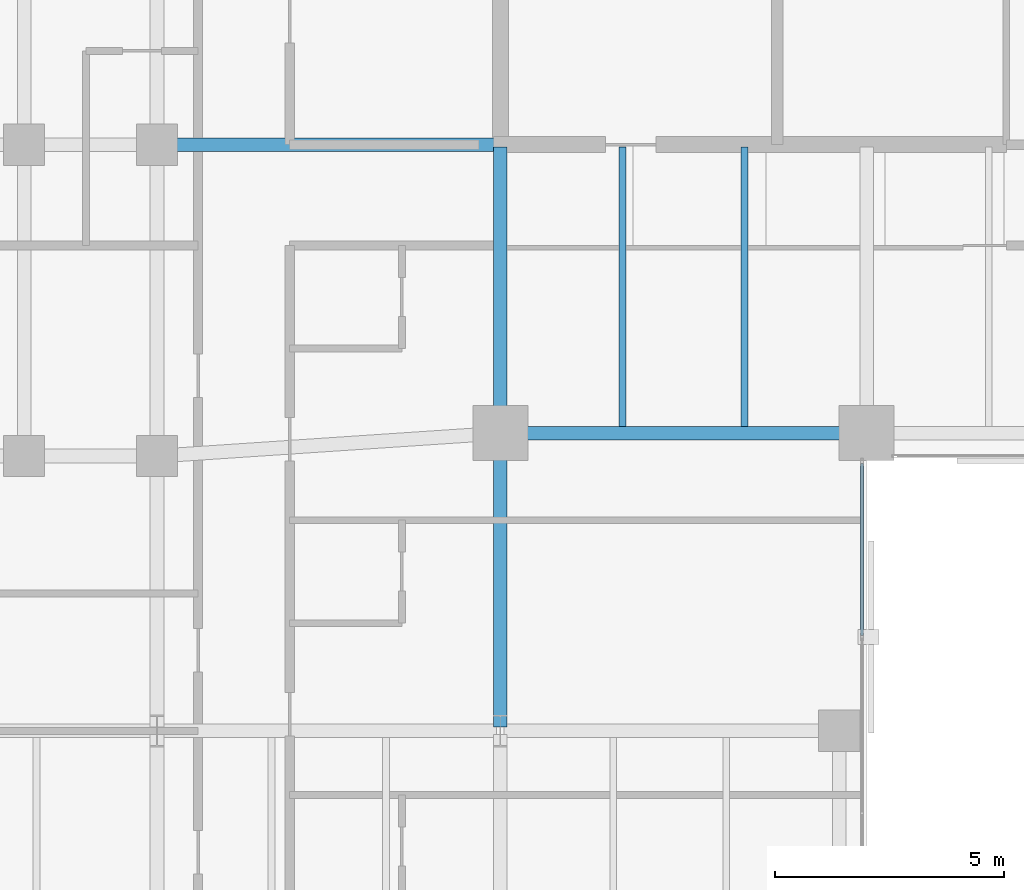
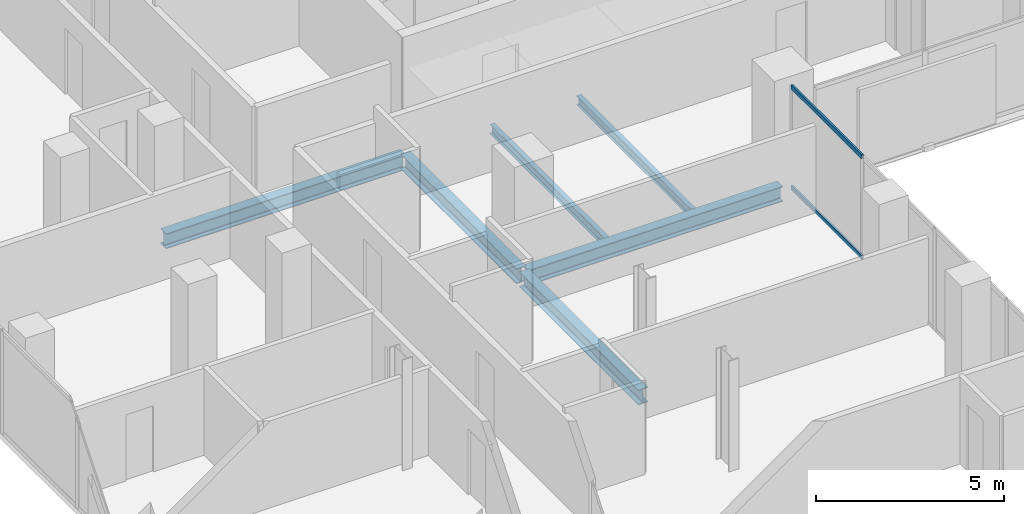
# One storey, part 12 of 34: 6 beams, 2 members, 1 element without a shape of its own.
"""IFC4 building model written with IfcOpenShell, lengths in metres."""

from ifc_helpers import new_model, si_unit, direction, frame, origin, origin_2d, place, context, subcontext, project, spatial, hollow_rectangle, i_section, extrude, material, layer, layer_set, material_profile, profile_set, type_object, element, aggregate, save


model = new_model("IFC4")

# Units and contexts
model_context = context("Model", 3, precision=1e-05, world=origin(), true_north=direction((0.0, 1.0)))
body_context = subcontext(model_context, "Body", "Model", "MODEL_VIEW")
ifc_project = project(units=[si_unit("LENGTHUNIT", "METRE"), si_unit("AREAUNIT", "SQUARE_METRE"), si_unit("VOLUMEUNIT", "CUBIC_METRE"), si_unit("PLANEANGLEUNIT", "RADIAN"), si_unit("MASSUNIT", "GRAM", prefix="KILO")], contexts=[model_context])

# Site, building, storey
site_placement = place(None, origin())
site = spatial("IfcSite", under=ifc_project, at=site_placement, CompositionType="ELEMENT")
building_placement = place(site_placement, origin())
building = spatial("IfcBuilding", under=site, at=building_placement, Name="Catumbela Crestline Tower", CompositionType="ELEMENT")
storey_placement = place(building_placement, frame((0.0, 0.0, 93.6)))
storey = spatial("IfcBuildingStorey", under=building, at=storey_placement, Name="L23", CompositionType="ELEMENT", Elevation=93.6)

# Beams
ifc_material_1 = material(Name="Structural steel S355J2", Category="steel")
ifc_material_profile_1 = material_profile(ifc_material_1, i_section(OverallWidth=0.3, OverallDepth=0.49, WebThickness=0.012, FlangeThickness=0.023, FilletRadius=0.027, at=origin_2d()), Name="HEA 500")
ifc_profile_set_1 = profile_set([ifc_material_profile_1], Name="Structural steel S355J2")
beam_type_1 = type_object("IfcBeamType", Name="BG-HEA500", PredefinedType="BEAM", material=ifc_profile_set_1)
beam_1_placement = place(storey_placement, frame((16.08, 24.5, -0.505), z_axis=(1.0, 0.0, 0.0), x_axis=(0.0, 1.0, 0.0)))
element("IfcBeam", 1, at=beam_1_placement, inside=storey, type_object=beam_type_1, Name="L23 Beam BM-L23-S04", PredefinedType="BEAM", context=body_context, shape_type="SweptSolid", body=[
    extrude(i_section(OverallWidth=0.3, OverallDepth=0.49, WebThickness=0.012, FlangeThickness=0.023, FilletRadius=0.027, at=origin_2d()), origin(), (0.0, 0.0, 1.0), 7.84),
])
beam_2_placement = place(storey_placement, frame((8.58, 30.8, -0.505), z_axis=(1.0, 0.0, 0.0), x_axis=(0.0, 1.0, 0.0)))
element("IfcBeam", 2, at=beam_2_placement, inside=storey, type_object=beam_type_1, Name="L23 Beam BM-L23-M09", PredefinedType="BEAM", context=body_context, shape_type="SweptSolid", body=[
    extrude(i_section(OverallWidth=0.3, OverallDepth=0.49, WebThickness=0.012, FlangeThickness=0.023, FilletRadius=0.027, at=origin_2d()), origin(), (0.0, 0.0, 1.0), 7.37),
])
beam_3_placement = place(storey_placement, frame((16.0, 24.58, -0.505), z_axis=(0.0, 1.0, 0.0), x_axis=(-1.0, 0.0, 0.0)))
element("IfcBeam", 3, at=beam_3_placement, inside=storey, type_object=beam_type_1, Name="L23 Beam BM-L23-SNS28", PredefinedType="BEAM", context=body_context, shape_type="SweptSolid", body=[
    extrude(i_section(OverallWidth=0.3, OverallDepth=0.49, WebThickness=0.012, FlangeThickness=0.023, FilletRadius=0.027, at=origin_2d()), origin(), (0.0, 0.0, 1.0), 6.17),
])
beam_4_placement = place(storey_placement, frame((16.0, 18.08, -0.505), z_axis=(0.0, 1.0, 0.0), x_axis=(-1.0, 0.0, 0.0)))
element("IfcBeam", 4, at=beam_4_placement, inside=storey, type_object=beam_type_1, Name="L23 Beam BM-L23-WNS60", PredefinedType="BEAM", context=body_context, shape_type="SweptSolid", body=[
    extrude(i_section(OverallWidth=0.3, OverallDepth=0.49, WebThickness=0.012, FlangeThickness=0.023, FilletRadius=0.027, at=origin_2d()), origin(), (0.0, 0.0, 1.0), 6.34),
])
ifc_material_profile_2 = material_profile(ifc_material_1, i_section(OverallWidth=0.15, OverallDepth=0.3, WebThickness=0.0071, FlangeThickness=0.0107, FilletRadius=0.015, at=origin_2d()), Name="IPE 300")
ifc_profile_set_2 = profile_set([ifc_material_profile_2], Name="Structural steel S355J2")
beam_type_2 = type_object("IfcBeamType", Name="BJ-IPE300", PredefinedType="JOIST", material=ifc_profile_set_2)
for number, where, z_axis, x_axis, name in (
    (5, (18.667, 24.647, -0.41), (0.0, 1.0, 0.0), (-1.0, 0.0, 0.0), "L23 Joist JS-L23-SP37"),
    (6, (21.333, 24.647, -0.41), (0.0, 1.0, 0.0), (-1.0, 0.0, 0.0), "L23 Joist JS-L23-SP38"),
):
    element("IfcBeam", number, at=place(storey_placement, frame(where, z_axis=z_axis, x_axis=x_axis)), inside=storey, type_object=beam_type_2, Name=name, PredefinedType="JOIST", context=body_context, shape_type="SweptSolid", body=[
        extrude(i_section(OverallWidth=0.15, OverallDepth=0.3, WebThickness=0.0071, FlangeThickness=0.0107, FilletRadius=0.015, at=origin_2d()), origin(), (0.0, 0.0, 1.0), 6.103),
    ])

# Curtain wall, members
ifc_material_2 = material(Name="Aluminium alloy AW-6060-T66", Category="aluminium")
ifc_layer = layer(ifc_material_2, 0.18, Name="Aluminium alloy AW-6060-T66")
ifc_layer_set = layer_set([ifc_layer], Name="Aluminium alloy AW-6060-T66")
curtain_wall_type = type_object("IfcCurtainWallType", Name="CWU-Z2", PredefinedType="USERDEFINED", material=ifc_layer_set)
curtain_wall_placement = place(storey_placement, origin())
curtain_wall = element("IfcCurtainWall", 7, at=curtain_wall_placement, inside=storey, type_object=curtain_wall_type, Name="L23 Unitised Curtain Wall CW-L23-E2S1", ObjectType="UNITISED", PredefinedType="USERDEFINED")
ifc_material_profile_3 = material_profile(ifc_material_2, hollow_rectangle(XDim=0.06, YDim=0.14, WallThickness=0.004, at=origin_2d()), Name="ALU 140x60x4")
ifc_profile_set_3 = profile_set([ifc_material_profile_3], Name="Aluminium alloy AW-6060-T66")
member_type = type_object("IfcMemberType", Name="TRN-140X60", PredefinedType="USERDEFINED", material=ifc_profile_set_3)
member_1_placement = place(storey_placement, frame((23.9, 20.0825, 0.03), z_axis=(0.0, 1.0, 0.0), x_axis=(-1.0, 0.0, 0.0)))
member_1 = element("IfcMember", 8, at=member_1_placement, type_object=member_type, Name="CWU-Z2 transom 4.1", ObjectType="TRANSOM", PredefinedType="USERDEFINED", context=body_context, shape_type="SweptSolid", body=[
    extrude(hollow_rectangle(XDim=0.06, YDim=0.14, WallThickness=0.004, at=origin_2d()), origin(), (0.0, 0.0, 1.0), 3.7525),
])
member_2_placement = place(storey_placement, frame((23.9, 20.0825, 3.3), z_axis=(0.0, 1.0, 0.0), x_axis=(-1.0, 0.0, 0.0)))
member_2 = element("IfcMember", 9, at=member_2_placement, type_object=member_type, Name="CWU-Z2 transom 4.2", ObjectType="TRANSOM", PredefinedType="USERDEFINED", context=body_context, shape_type="SweptSolid", body=[
    extrude(hollow_rectangle(XDim=0.06, YDim=0.14, WallThickness=0.004, at=origin_2d()), origin(), (0.0, 0.0, 1.0), 3.7525),
])
aggregate(curtain_wall, [member_1, member_2])

save(model, "model.ifc")
